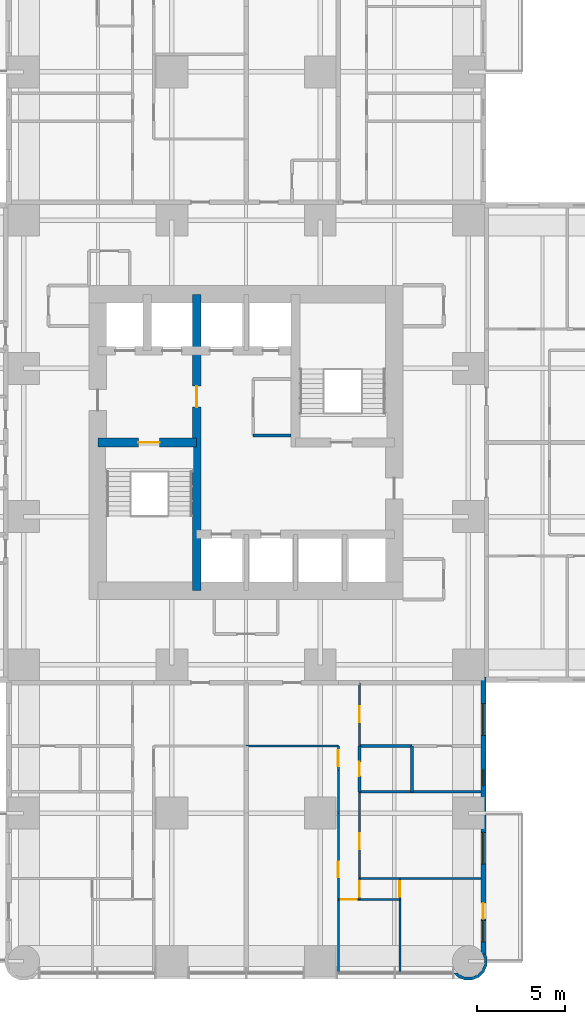
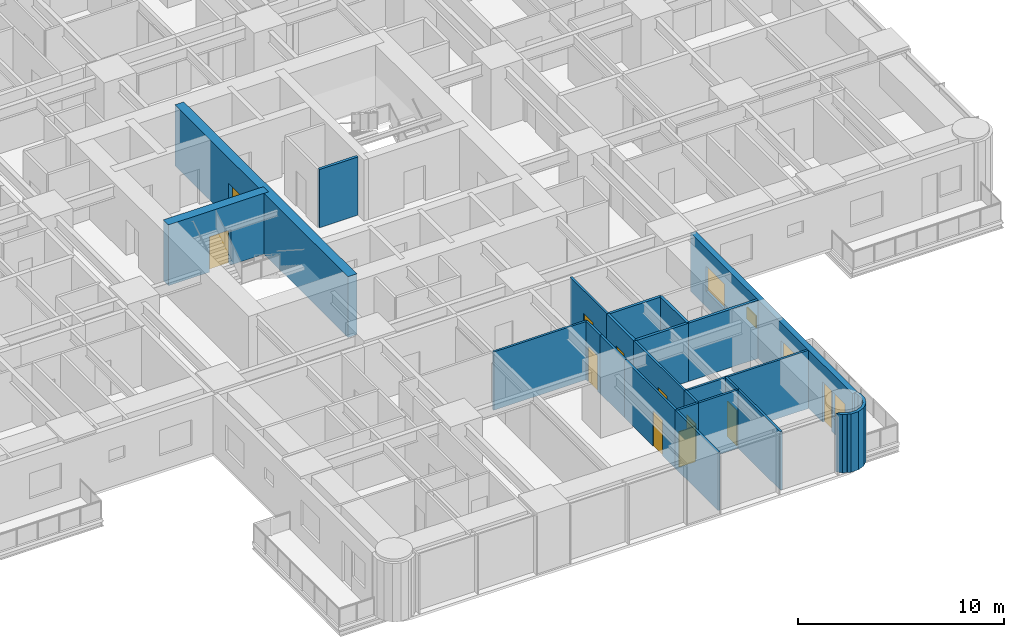
# One storey, part 9 of 17: 24 walls, 11 doors, 4 windows, 15 openings.
"""IFC4 building model written with IfcOpenShell, lengths in metres."""

from ifc_helpers import new_model, si_unit, direction, frame, frame_2d, origin, place, context, subcontext, project, spatial, polyline, rectangle, outline, extrude, material, layer, layer_set, type_object, element, fill, save


model = new_model("IFC4")

# Units and contexts
model_context = context("Model", 3, precision=1e-05, world=origin(), true_north=direction((0.0, 1.0)))
body_context = subcontext(model_context, "Body", "Model", "MODEL_VIEW")
ifc_project = project(units=[si_unit("LENGTHUNIT", "METRE"), si_unit("AREAUNIT", "SQUARE_METRE"), si_unit("VOLUMEUNIT", "CUBIC_METRE"), si_unit("PLANEANGLEUNIT", "RADIAN"), si_unit("MASSUNIT", "GRAM", prefix="KILO")], contexts=[model_context])

# Site, building, storey
site_placement = place(None, origin())
site = spatial("IfcSite", under=ifc_project, at=site_placement, CompositionType="ELEMENT")
building_placement = place(site_placement, origin())
building = spatial("IfcBuilding", under=site, at=building_placement, Name="Torre Alcanfor", CompositionType="ELEMENT")
storey_placement = place(building_placement, frame((0.0, 0.0, 70.5)))
storey = spatial("IfcBuildingStorey", under=building, at=storey_placement, Name="L17", CompositionType="ELEMENT", Elevation=70.5)

# Wall
ifc_material_1 = material(Name="Gypsum board on steel studs", Category="steel")
ifc_layer_1 = layer(ifc_material_1, 0.1201171875)
ifc_layer_set_1 = layer_set([ifc_layer_1], Name="Apartment partition 120")
wall_type_1 = type_object("IfcWallType", Name="Apartment partition 120", PredefinedType="PARTITIONING", material=ifc_layer_set_1)
wall_1_placement = place(storey_placement, frame((29.39990234375, 12.199951171875, 0.0), z_axis=(0.0, 0.0, 1.0), x_axis=(1.0, 0.0, 0.0)))
element("IfcWall", 1, at=wall_1_placement, inside=storey, type_object=wall_type_1, Name="Partition L17-S1-ZAG / L17-S1-LAUND", PredefinedType="PARTITIONING", context=body_context, shape_type="SweptSolid", body=[
    extrude(rectangle(XDim=5.22900390625, YDim=0.1201171875, at=frame_2d((2.614501953125, 0.0))), origin(), (0.0, 0.0, 1.0), 3.449951171875),
])

# Wall, opening, door
wall_2_placement = place(storey_placement, frame((34.62890625, 10.800048828125, 0.0), z_axis=(0.0, 0.0, 1.0), x_axis=(0.0, 1.0, 0.0)))
wall_2 = element("IfcWall", 2, at=wall_2_placement, inside=storey, type_object=wall_type_1, Name="Partition L17-S1-LAUND / L17-S1-HALL", PredefinedType="PARTITIONING", context=body_context, shape_type="SweptSolid", body=[
    extrude(rectangle(XDim=1.39990234375, YDim=0.1201171875, at=frame_2d((0.699951171875, 0.0))), origin(), (0.0, 0.0, 1.0), 3.449951171875),
])
opening_1_placement = place(wall_2_placement, frame((0.25, 0.0, 0.0)))
opening_1 = element("IfcOpeningElement", 3, at=opening_1_placement, cuts=wall_2, Name="Opening D-R1", PredefinedType="OPENING", context=body_context, shape_type="SweptSolid", body=[
    extrude(rectangle(XDim=0.89990234375, YDim=2.10009765625, at=frame_2d((0.449951171875, 1.050048828125))), frame((0.0, 0.070068359375, 0.0), z_axis=(0.0, -1.0, 0.0), x_axis=(1.0, 0.0, 0.0)), (0.0, 0.0, 1.0), 0.14013671875),
])
ifc_material_2 = material(Name="Timber", Category="wood")
door_type_1 = type_object("IfcDoorType", Name="Internal door 900x2100", OperationType="SINGLE_SWING_LEFT", PredefinedType="DOOR", material=ifc_material_2)
door_1_placement = place(opening_1_placement, origin())
door_1 = element("IfcDoor", 4, at=door_1_placement, inside=storey, type_object=door_type_1, Name="Door L17-S1 laund", OperationType="SINGLE_SWING_LEFT", OverallHeight=2.10009765625, OverallWidth=0.89990234375, PredefinedType="DOOR", context=body_context, shape_type="SweptSolid", body=[
    extrude(rectangle(XDim=0.89990234375, YDim=2.10009765625, at=frame_2d((0.449951171875, 1.050048828125))), frame((0.0, 0.02490234375, 0.0), z_axis=(0.0, -1.0, 0.0), x_axis=(1.0, 0.0, 0.0)), (0.0, 0.0, 1.0), 0.050048828125),
])
fill(opening_1, door_1)

# Wall
wall_3_placement = place(storey_placement, frame((34.62890625, 8.39990234375, 0.0), z_axis=(0.0, 0.0, 1.0), x_axis=(0.0, 1.0, 0.0)))
element("IfcWall", 5, at=wall_3_placement, inside=storey, type_object=wall_type_1, Name="Partition L17-S1-KITCHEN / L17-S1-HALL", PredefinedType="PARTITIONING", context=body_context, shape_type="SweptSolid", body=[
    extrude(rectangle(XDim=2.400146484375, YDim=0.1201171875, at=frame_2d((1.2001953125, 0.0))), origin(), (0.0, 0.0, 1.0), 3.449951171875),
])

# Wall, opening, door
wall_4_placement = place(storey_placement, frame((34.62890625, 3.5, 0.0), z_axis=(0.0, 0.0, 1.0), x_axis=(0.0, 1.0, 0.0)))
wall_4 = element("IfcWall", 6, at=wall_4_placement, inside=storey, type_object=wall_type_1, Name="Partition L17-S1-LIVING / L17-S1-HALL", PredefinedType="PARTITIONING", context=body_context, shape_type="SweptSolid", body=[
    extrude(rectangle(XDim=4.89990234375, YDim=0.1201171875, at=frame_2d((2.449951171875, 0.0))), origin(), (0.0, 0.0, 1.0), 3.449951171875),
])
opening_2_placement = place(wall_4_placement, frame((1.25, 0.0, 0.0)))
opening_2 = element("IfcOpeningElement", 7, at=opening_2_placement, cuts=wall_4, Name="Opening D-R1", PredefinedType="OPENING", context=body_context, shape_type="SweptSolid", body=[
    extrude(rectangle(XDim=0.89990234375, YDim=2.10009765625, at=frame_2d((0.449951171875, 1.050048828125))), frame((0.0, 0.070068359375, 0.0), z_axis=(0.0, -1.0, 0.0), x_axis=(1.0, 0.0, 0.0)), (0.0, 0.0, 1.0), 0.14013671875),
])
door_2_placement = place(opening_2_placement, origin())
door_2 = element("IfcDoor", 8, at=door_2_placement, inside=storey, type_object=door_type_1, Name="Door L17-S1 living", OperationType="SINGLE_SWING_RIGHT", OverallHeight=2.10009765625, OverallWidth=0.89990234375, PredefinedType="DOOR", context=body_context, shape_type="SweptSolid", body=[
    extrude(rectangle(XDim=0.89990234375, YDim=2.10009765625, at=frame_2d((0.449951171875, 1.050048828125))), frame((0.0, 0.02490234375, 0.0), z_axis=(0.0, -1.0, 0.0), x_axis=(1.0, 0.0, 0.0)), (0.0, 0.0, 1.0), 0.050048828125),
])
fill(opening_2, door_2)

# Wall
wall_5_placement = place(storey_placement, frame((34.62890625, -0.64990234375, 0.0), z_axis=(0.0, 0.0, 1.0), x_axis=(0.0, 1.0, 0.0)))
element("IfcWall", 9, at=wall_5_placement, inside=storey, type_object=wall_type_1, Name="Partition L17-S1-LIVING / L17-S1-BED2", PredefinedType="PARTITIONING", context=body_context, shape_type="SweptSolid", body=[
    extrude(rectangle(XDim=4.14990234375, YDim=0.1201171875, at=frame_2d((2.074951171875, 0.0))), origin(), (0.0, 0.0, 1.0), 3.449951171875),
])

# Wall, opening, door
wall_6_placement = place(storey_placement, frame((35.8291015625, 12.199951171875, 0.0), z_axis=(0.0, 0.0, 1.0), x_axis=(0.0, 1.0, 0.0)))
wall_6 = element("IfcWall", 10, at=wall_6_placement, inside=storey, type_object=wall_type_1, Name="Partition L17-S1-HALL / L17-S1-SERV", PredefinedType="PARTITIONING", context=body_context, shape_type="SweptSolid", body=[
    extrude(rectangle(XDim=3.574951171875, YDim=0.1201171875, at=frame_2d((1.78759765625, 0.0))), origin(), (0.0, 0.0, 1.0), 3.449951171875),
])
opening_3_placement = place(wall_6_placement, frame((1.35009765625, 0.0, 0.0)))
opening_3 = element("IfcOpeningElement", 11, at=opening_3_placement, cuts=wall_6, Name="Opening D-R1", PredefinedType="OPENING", context=body_context, shape_type="SweptSolid", body=[
    extrude(rectangle(XDim=0.89990234375, YDim=2.10009765625, at=frame_2d((0.449951171875, 1.050048828125))), frame((0.0, 0.070068359375, 0.0), z_axis=(0.0, -1.0, 0.0), x_axis=(1.0, 0.0, 0.0)), (0.0, 0.0, 1.0), 0.14013671875),
])
door_3_placement = place(opening_3_placement, frame((0.89990234375, 0.0, 0.0), z_axis=(0.0, 0.0, 1.0), x_axis=(-1.0, 0.0, 0.0)))
door_3 = element("IfcDoor", 12, at=door_3_placement, inside=storey, type_object=door_type_1, Name="Door L17-S1 serv", OperationType="SINGLE_SWING_LEFT", OverallHeight=2.10009765625, OverallWidth=0.89990234375, PredefinedType="DOOR", context=body_context, shape_type="SweptSolid", body=[
    extrude(rectangle(XDim=0.89990234375, YDim=2.10009765625, at=frame_2d((0.449951171875, 1.050048828125))), frame((0.0, 0.025146484375, 0.0), z_axis=(0.0, -1.0, 0.0), x_axis=(1.0, 0.0, 0.0)), (0.0, 0.0, 1.0), 0.050048828125),
])
fill(opening_3, door_3)

wall_7_placement = place(storey_placement, frame((35.8291015625, 4.699951171875, 0.0), z_axis=(0.0, 0.0, 1.0), x_axis=(0.0, 1.0, 0.0)))
wall_7 = element("IfcWall", 13, at=wall_7_placement, inside=storey, type_object=wall_type_1, Name="Partition L17-S1-HALL / L17-S1-BED3", PredefinedType="PARTITIONING", context=body_context, shape_type="SweptSolid", body=[
    extrude(rectangle(XDim=4.900146484375, YDim=0.1201171875, at=frame_2d((2.4501953125, 0.0))), origin(), (0.0, 0.0, 1.0), 3.449951171875),
])
opening_4_placement = place(wall_7_placement, frame((1.64990234375, 0.0, 0.0)))
opening_4 = element("IfcOpeningElement", 14, at=opening_4_placement, cuts=wall_7, Name="Opening D-R1", PredefinedType="OPENING", context=body_context, shape_type="SweptSolid", body=[
    extrude(rectangle(XDim=0.89990234375, YDim=2.10009765625, at=frame_2d((0.449951171875, 1.050048828125))), frame((0.0, 0.070068359375, 0.0), z_axis=(0.0, -1.0, 0.0), x_axis=(1.0, 0.0, 0.0)), (0.0, 0.0, 1.0), 0.14013671875),
])
door_4_placement = place(opening_4_placement, frame((0.89990234375, 0.0, 0.0), z_axis=(0.0, 0.0, 1.0), x_axis=(-1.0, 0.0, 0.0)))
door_4 = element("IfcDoor", 15, at=door_4_placement, inside=storey, type_object=door_type_1, Name="Door L17-S1 bed3", OperationType="SINGLE_SWING_RIGHT", OverallHeight=2.10009765625, OverallWidth=0.89990234375, PredefinedType="DOOR", context=body_context, shape_type="SweptSolid", body=[
    extrude(rectangle(XDim=0.89990234375, YDim=2.10009765625, at=frame_2d((0.449951171875, 1.050048828125))), frame((0.0, 0.025146484375, 0.0), z_axis=(0.0, -1.0, 0.0), x_axis=(1.0, 0.0, 0.0)), (0.0, 0.0, 1.0), 0.050048828125),
])
fill(opening_4, door_4)

wall_8_placement = place(storey_placement, frame((35.8291015625, 3.5, 0.0), z_axis=(0.0, 0.0, 1.0), x_axis=(0.0, 1.0, 0.0)))
wall_8 = element("IfcWall", 16, at=wall_8_placement, inside=storey, type_object=wall_type_1, Name="Partition L17-S1-HALL / L17-S1-VEST", PredefinedType="PARTITIONING", context=body_context, shape_type="SweptSolid", body=[
    extrude(rectangle(XDim=1.199951171875, YDim=0.1201171875, at=frame_2d((0.60009765625, 0.0))), origin(), (0.0, 0.0, 1.0), 3.449951171875),
])
opening_5_placement = place(wall_8_placement, frame((0.14990234375, 0.0, 0.0)))
opening_5 = element("IfcOpeningElement", 17, at=opening_5_placement, cuts=wall_8, Name="Opening D-R1", PredefinedType="OPENING", context=body_context, shape_type="SweptSolid", body=[
    extrude(rectangle(XDim=0.89990234375, YDim=2.10009765625, at=frame_2d((0.449951171875, 1.050048828125))), frame((0.0, 0.070068359375, 0.0), z_axis=(0.0, -1.0, 0.0), x_axis=(1.0, 0.0, 0.0)), (0.0, 0.0, 1.0), 0.14013671875),
])
door_5_placement = place(opening_5_placement, frame((0.89990234375, 0.0, 0.0), z_axis=(0.0, 0.0, 1.0), x_axis=(-1.0, 0.0, 0.0)))
door_5 = element("IfcDoor", 18, at=door_5_placement, inside=storey, type_object=door_type_1, Name="Door L17-S1 vest", OperationType="SINGLE_SWING_RIGHT", OverallHeight=2.10009765625, OverallWidth=0.89990234375, PredefinedType="DOOR", context=body_context, shape_type="SweptSolid", body=[
    extrude(rectangle(XDim=0.89990234375, YDim=2.10009765625, at=frame_2d((0.449951171875, 1.050048828125))), frame((0.0, 0.025146484375, 0.0), z_axis=(0.0, -1.0, 0.0), x_axis=(1.0, 0.0, 0.0)), (0.0, 0.0, 1.0), 0.050048828125),
])
fill(opening_5, door_5)

wall_9_placement = place(storey_placement, frame((34.62890625, 3.5, 0.0), z_axis=(0.0, 0.0, 1.0), x_axis=(1.0, 0.0, 0.0)))
wall_9 = element("IfcWall", 19, at=wall_9_placement, inside=storey, type_object=wall_type_1, Name="Partition L17-S1-HALL / L17-S1-BED2", PredefinedType="PARTITIONING", context=body_context, shape_type="SweptSolid", body=[
    extrude(rectangle(XDim=1.2001953125, YDim=0.1201171875, at=frame_2d((0.60009765625, 0.0))), origin(), (0.0, 0.0, 1.0), 3.449951171875),
])
opening_6_placement = place(wall_9_placement, frame((0.15087890625, 0.0, 0.0)))
opening_6 = element("IfcOpeningElement", 20, at=opening_6_placement, cuts=wall_9, Name="Opening D-R1", PredefinedType="OPENING", context=body_context, shape_type="SweptSolid", body=[
    extrude(rectangle(XDim=0.89990234375, YDim=2.10009765625, at=frame_2d((0.449951171875, 1.050048828125))), frame((0.0, 0.070068359375, 0.0), z_axis=(0.0, -1.0, 0.0), x_axis=(1.0, 0.0, 0.0)), (0.0, 0.0, 1.0), 0.14013671875),
])
door_6_placement = place(opening_6_placement, frame((0.89990234375, 0.0, 0.0), z_axis=(0.0, 0.0, 1.0), x_axis=(-1.0, 0.0, 0.0)))
door_6 = element("IfcDoor", 21, at=door_6_placement, inside=storey, type_object=door_type_1, Name="Door L17-S1 bed2", OperationType="SINGLE_SWING_RIGHT", OverallHeight=2.10009765625, OverallWidth=0.89990234375, PredefinedType="DOOR", context=body_context, shape_type="SweptSolid", body=[
    extrude(rectangle(XDim=0.89990234375, YDim=2.10009765625, at=frame_2d((0.449951171875, 1.050048828125))), frame((0.0, 0.025146484375, 0.0), z_axis=(0.0, -1.0, 0.0), x_axis=(1.0, 0.0, 0.0)), (0.0, 0.0, 1.0), 0.050048828125),
])
fill(opening_6, door_6)

# Walls
wall_10_placement = place(storey_placement, frame((35.8291015625, 4.699951171875, 0.0), z_axis=(0.0, 0.0, 1.0), x_axis=(1.0, 0.0, 0.0)))
element("IfcWall", 22, at=wall_10_placement, inside=storey, type_object=wall_type_1, Name="Partition L17-S1-BED3 / L17-S1-VEST", PredefinedType="PARTITIONING", context=body_context, shape_type="SweptSolid", body=[
    extrude(rectangle(XDim=2.284912109375, YDim=0.1201171875, at=frame_2d((1.142578125, 0.0))), origin(), (0.0, 0.0, 1.0), 3.449951171875),
])
wall_11_placement = place(storey_placement, frame((38.114013671875, 4.699951171875, 0.0), z_axis=(0.0, 0.0, 1.0), x_axis=(1.0, 0.0, 0.0)))
element("IfcWall", 23, at=wall_11_placement, inside=storey, type_object=wall_type_1, Name="Partition L17-S1-BED3 / L17-S1-MASTER", PredefinedType="PARTITIONING", context=body_context, shape_type="SweptSolid", body=[
    extrude(rectangle(XDim=4.5859375, YDim=0.1201171875, at=frame_2d((2.29296875, 0.0))), origin(), (0.0, 0.0, 1.0), 3.449951171875),
])
wall_12_placement = place(storey_placement, frame((35.8291015625, 3.5, 0.0), z_axis=(0.0, 0.0, 1.0), x_axis=(1.0, 0.0, 0.0)))
element("IfcWall", 24, at=wall_12_placement, inside=storey, type_object=wall_type_1, Name="Partition L17-S1-VEST / L17-S1-BED2", PredefinedType="PARTITIONING", context=body_context, shape_type="SweptSolid", body=[
    extrude(rectangle(XDim=2.284912109375, YDim=0.1201171875, at=frame_2d((1.142578125, 0.0))), origin(), (0.0, 0.0, 1.0), 3.449951171875),
])

# Wall, opening, door
wall_13_placement = place(storey_placement, frame((38.114013671875, 3.5, 0.0), z_axis=(0.0, 0.0, 1.0), x_axis=(0.0, 1.0, 0.0)))
wall_13 = element("IfcWall", 25, at=wall_13_placement, inside=storey, type_object=wall_type_1, Name="Partition L17-S1-VEST / L17-S1-MASTER", PredefinedType="PARTITIONING", context=body_context, shape_type="SweptSolid", body=[
    extrude(rectangle(XDim=1.199951171875, YDim=0.1201171875, at=frame_2d((0.60009765625, 0.0))), origin(), (0.0, 0.0, 1.0), 3.449951171875),
])
opening_7_placement = place(wall_13_placement, frame((0.14990234375, 0.0, 0.0)))
opening_7 = element("IfcOpeningElement", 26, at=opening_7_placement, cuts=wall_13, Name="Opening D-R1", PredefinedType="OPENING", context=body_context, shape_type="SweptSolid", body=[
    extrude(rectangle(XDim=0.89990234375, YDim=2.10009765625, at=frame_2d((0.449951171875, 1.050048828125))), frame((0.0, 0.070068359375, 0.0), z_axis=(0.0, -1.0, 0.0), x_axis=(1.0, 0.0, 0.0)), (0.0, 0.0, 1.0), 0.14013671875),
])
door_7_placement = place(opening_7_placement, origin())
door_7 = element("IfcDoor", 27, at=door_7_placement, inside=storey, type_object=door_type_1, Name="Door L17-S1 master", OperationType="SINGLE_SWING_LEFT", OverallHeight=2.10009765625, OverallWidth=0.89990234375, PredefinedType="DOOR", context=body_context, shape_type="SweptSolid", body=[
    extrude(rectangle(XDim=0.89990234375, YDim=2.10009765625, at=frame_2d((0.449951171875, 1.050048828125))), frame((0.0, 0.02490234375, 0.0), z_axis=(0.0, -1.0, 0.0), x_axis=(1.0, 0.0, 0.0)), (0.0, 0.0, 1.0), 0.050048828125),
])
fill(opening_7, door_7)

# Wall
wall_14_placement = place(storey_placement, frame((38.114013671875, -0.64990234375, 0.0), z_axis=(0.0, 0.0, 1.0), x_axis=(0.0, 1.0, 0.0)))
element("IfcWall", 28, at=wall_14_placement, inside=storey, type_object=wall_type_1, Name="Partition L17-S1-BED2 / L17-S1-MASTER", PredefinedType="PARTITIONING", context=body_context, shape_type="SweptSolid", body=[
    extrude(rectangle(XDim=4.14990234375, YDim=0.1201171875, at=frame_2d((2.074951171875, 0.0))), origin(), (0.0, 0.0, 1.0), 3.449951171875),
])

# Wall, opening, door
ifc_material_3 = material(Name="Concrete f'c 70 MPa", Category="concrete")
ifc_layer_2 = layer(ifc_material_3, 0.5)
ifc_layer_set_2 = layer_set([ifc_layer_2], Name="Core inner wall 500 f'c70")
wall_type_2 = type_object("IfcWallType", Name="Core inner wall 500 f'c70", PredefinedType="SHEAR", material=ifc_layer_set_2)
wall_15_placement = place(storey_placement, frame((26.60009765625, 21.0, 0.0), z_axis=(0.0, 0.0, 1.0), x_axis=(0.0, 1.0, 0.0)))
wall_15 = element("IfcWall", 29, at=wall_15_placement, inside=storey, type_object=wall_type_2, Name="Core wall X266 L17", PredefinedType="SHEAR", context=body_context, shape_type="SweptSolid", body=[
    extrude(rectangle(XDim=16.800048828125, YDim=0.5, at=frame_2d((8.39990234375, 0.0))), origin(), (0.0, 0.0, 1.0), 3.60009765625),
])
opening_8_placement = place(wall_15_placement, frame((10.39990234375, 0.0, 0.0)))
opening_8 = element("IfcOpeningElement", 30, at=opening_8_placement, cuts=wall_15, Name="Opening D-L1", PredefinedType="OPENING", context=body_context, shape_type="SweptSolid", body=[
    extrude(rectangle(XDim=1.199951171875, YDim=2.10009765625, at=frame_2d((0.60009765625, 1.050048828125))), frame((0.0, 0.260009765625, 0.0), z_axis=(0.0, -1.0, 0.0), x_axis=(1.0, 0.0, 0.0)), (0.0, 0.0, 1.0), 0.52001953125),
])
ifc_material_4 = material(Name="Galvanised steel sheet ASTM A653", Category="steel")
door_type_2 = type_object("IfcDoorType", Name="Lobby door FD120 1200x2100", OperationType="SINGLE_SWING_LEFT", PredefinedType="DOOR", material=ifc_material_4)
door_8_placement = place(opening_8_placement, origin())
door_8 = element("IfcDoor", 31, at=door_8_placement, inside=storey, type_object=door_type_2, Name="Lift lobby door L17", OperationType="SINGLE_SWING_LEFT", OverallHeight=2.10009765625, OverallWidth=1.199951171875, PredefinedType="DOOR", context=body_context, shape_type="SweptSolid", body=[
    extrude(rectangle(XDim=1.199951171875, YDim=2.10009765625, at=frame_2d((0.60009765625, 1.050048828125))), frame((0.0, 0.02490234375, 0.0), z_axis=(0.0, -1.0, 0.0), x_axis=(1.0, 0.0, 0.0)), (0.0, 0.0, 1.0), 0.050048828125),
])
fill(opening_8, door_8)

wall_16_placement = place(storey_placement, frame((21.0, 29.39990234375, 0.0), z_axis=(0.0, 0.0, 1.0), x_axis=(1.0, 0.0, 0.0)))
wall_16 = element("IfcWall", 32, at=wall_16_placement, inside=storey, type_object=wall_type_2, Name="Core wall Y294W L17", PredefinedType="SHEAR", context=body_context, shape_type="SweptSolid", body=[
    extrude(rectangle(XDim=5.60009765625, YDim=0.5, at=frame_2d((2.800048828125, 0.0))), origin(), (0.0, 0.0, 1.0), 3.60009765625),
])
opening_9_placement = place(wall_16_placement, frame((2.300048828125, 0.0, 0.0)))
opening_9 = element("IfcOpeningElement", 33, at=opening_9_placement, cuts=wall_16, Name="Opening D-S2", PredefinedType="OPENING", context=body_context, shape_type="SweptSolid", body=[
    extrude(rectangle(XDim=1.199951171875, YDim=2.10009765625, at=frame_2d((0.60009765625, 1.050048828125))), frame((0.0, 0.260009765625, 0.0), z_axis=(0.0, -1.0, 0.0), x_axis=(1.0, 0.0, 0.0)), (0.0, 0.0, 1.0), 0.52001953125),
])
ifc_material_5 = material(Name="Galvanised steel sheet ASTM A653", Category="steel")
door_type_3 = type_object("IfcDoorType", Name="Stair enclosure door FD120 1200x2100", OperationType="SINGLE_SWING_LEFT", PredefinedType="DOOR", material=ifc_material_5)
door_9_placement = place(opening_9_placement, frame((1.199951171875, 0.0, 0.0), z_axis=(0.0, 0.0, 1.0), x_axis=(-1.0, 0.0, 0.0)))
door_9 = element("IfcDoor", 34, at=door_9_placement, inside=storey, type_object=door_type_3, Name="Stair S1 door L17", OperationType="SINGLE_SWING_LEFT", OverallHeight=2.10009765625, OverallWidth=1.199951171875, PredefinedType="DOOR", context=body_context, shape_type="SweptSolid", body=[
    extrude(rectangle(XDim=1.199951171875, YDim=2.10009765625, at=frame_2d((0.599853515625, 1.050048828125))), frame((0.0, 0.025146484375, 0.0), z_axis=(0.0, -1.0, 0.0), x_axis=(1.0, 0.0, 0.0)), (0.0, 0.0, 1.0), 0.050048828125),
])
fill(opening_9, door_9)

# Wall, openings, door, windows
ifc_material_6 = material(Name="Limestone cladding", Category="masonry")
ifc_layer_3 = layer(ifc_material_6, 0.0400390625, Name="Facing")
ifc_material_7 = material(Name="Ventilated air cavity")
ifc_layer_4 = layer(ifc_material_7, 0.02001953125, ventilated=True, Name="Ventilated joint")
ifc_material_8 = material(Name="Mineral wool insulation", Category="insulation")
ifc_layer_5 = layer(ifc_material_8, 0.10009765625, Name="Insulation")
ifc_material_9 = material(Name="Concrete f'c 35 MPa", Category="concrete")
ifc_layer_6 = layer(ifc_material_9, 0.139892578125, Name="Backing")
ifc_layer_set_3 = layer_set([ifc_layer_3, ifc_layer_4, ifc_layer_5, ifc_layer_6], Name="External wall stone-clad 300")
wall_type_3 = type_object("IfcWallType", Name="External wall stone-clad 300", PredefinedType="SOLIDWALL", material=ifc_layer_set_3)
wall_17_placement = place(storey_placement, frame((42.85009765625, 0.39990234375, 0.0), z_axis=(0.0, 0.0, 1.0), x_axis=(0.0, 1.0, 0.0)))
wall_17 = element("IfcWall", 35, at=wall_17_placement, inside=storey, type_object=wall_type_3, Name="External wall L17 6", PredefinedType="SOLIDWALL", context=body_context, shape_type="SweptSolid", body=[
    extrude(rectangle(XDim=15.7001953125, YDim=0.300048828125, at=frame_2d((7.85009765625, 0.0))), origin(), (0.0, 0.0, 1.0), 3.449951171875),
])
opening_10_placement = place(wall_17_placement, frame((12.39990234375, 0.0, 0.89990234375)))
opening_10 = element("IfcOpeningElement", 36, at=opening_10_placement, cuts=wall_17, Name="Opening W2", PredefinedType="OPENING", context=body_context, shape_type="SweptSolid", body=[
    extrude(rectangle(XDim=1.800048828125, YDim=1.5, at=frame_2d((0.89990234375, 0.75))), frame((0.0, 0.159912109375, 0.0), z_axis=(0.0, -1.0, 0.0), x_axis=(1.0, 0.0, 0.0)), (0.0, 0.0, 1.0), 0.320068359375),
])
opening_11_placement = place(wall_17_placement, frame((9.550048828125, 0.0, 1.5)))
opening_11 = element("IfcOpeningElement", 37, at=opening_11_placement, cuts=wall_17, Name="Opening W3", PredefinedType="OPENING", context=body_context, shape_type="SweptSolid", body=[
    extrude(rectangle(XDim=0.89990234375, YDim=0.699951171875, at=frame_2d((0.449951171875, 0.35009765625))), frame((0.0, 0.159912109375, 0.0), z_axis=(0.0, -1.0, 0.0), x_axis=(1.0, 0.0, 0.0)), (0.0, 0.0, 1.0), 0.320068359375),
])
opening_12_placement = place(wall_17_placement, frame((5.10009765625, 0.0, 0.89990234375)))
opening_12 = element("IfcOpeningElement", 38, at=opening_12_placement, cuts=wall_17, Name="Opening W2", PredefinedType="OPENING", context=body_context, shape_type="SweptSolid", body=[
    extrude(rectangle(XDim=1.800048828125, YDim=1.5, at=frame_2d((0.89990234375, 0.75))), frame((0.0, 0.159912109375, 0.0), z_axis=(0.0, -1.0, 0.0), x_axis=(1.0, 0.0, 0.0)), (0.0, 0.0, 1.0), 0.320068359375),
])
opening_13_placement = place(wall_17_placement, frame((2.0, 0.0, 0.0)))
opening_13 = element("IfcOpeningElement", 39, at=opening_13_placement, cuts=wall_17, Name="Opening D-B1", PredefinedType="OPENING", context=body_context, shape_type="SweptSolid", body=[
    extrude(rectangle(XDim=0.89990234375, YDim=2.39990234375, at=frame_2d((0.449951171875, 1.199951171875))), frame((0.0, 0.159912109375, 0.0), z_axis=(0.0, -1.0, 0.0), x_axis=(1.0, 0.0, 0.0)), (0.0, 0.0, 1.0), 0.320068359375),
])
opening_14_placement = place(wall_17_placement, frame((0.699951171875, 0.0, 0.89990234375)))
opening_14 = element("IfcOpeningElement", 40, at=opening_14_placement, cuts=wall_17, Name="Opening W4", PredefinedType="OPENING", context=body_context, shape_type="SweptSolid", body=[
    extrude(rectangle(XDim=1.199951171875, YDim=1.5, at=frame_2d((0.60009765625, 0.75))), frame((0.0, 0.159912109375, 0.0), z_axis=(0.0, -1.0, 0.0), x_axis=(1.0, 0.0, 0.0)), (0.0, 0.0, 1.0), 0.320068359375),
])
ifc_material_10 = material(Name="Aluminium and glass", Category="aluminium")
door_type_4 = type_object("IfcDoorType", Name="Balcony door glazed 900x2400", OperationType="SINGLE_SWING_LEFT", PredefinedType="DOOR", material=ifc_material_10)
door_10_placement = place(opening_13_placement, origin())
door_10 = element("IfcDoor", 41, at=door_10_placement, inside=storey, type_object=door_type_4, Name="Balcony door L17-S1", OperationType="SINGLE_SWING_RIGHT", OverallHeight=2.39990234375, OverallWidth=0.89990234375, PredefinedType="DOOR", context=body_context, shape_type="SweptSolid", body=[
    extrude(rectangle(XDim=0.89990234375, YDim=2.39990234375, at=frame_2d((0.449951171875, 1.199951171875))), frame((0.0, 0.02490234375, 0.0), z_axis=(0.0, -1.0, 0.0), x_axis=(1.0, 0.0, 0.0)), (0.0, 0.0, 1.0), 0.050048828125),
])
fill(opening_13, door_10)
ifc_material_11 = material(Name="Aluminium frame with clear double glazing", Category="aluminium")
window_type_1 = type_object("IfcWindowType", Name="Window bathroom 900x700", PartitioningType="SINGLE_PANEL", PredefinedType="WINDOW", material=ifc_material_11)
window_1_placement = place(opening_11_placement, origin())
window_1 = element("IfcWindow", 42, at=window_1_placement, inside=storey, type_object=window_type_1, Name="Window W3 L17-S1", OverallHeight=0.699951171875, OverallWidth=0.89990234375, PartitioningType="SINGLE_PANEL", PredefinedType="WINDOW", context=body_context, shape_type="SweptSolid", body=[
    extrude(rectangle(XDim=0.89990234375, YDim=0.699951171875, at=frame_2d((0.449951171875, 0.35009765625))), frame((0.0, 0.030029296875, 0.0), z_axis=(0.0, -1.0, 0.0), x_axis=(1.0, 0.0, 0.0)), (0.0, 0.0, 1.0), 0.06005859375),
])
fill(opening_11, window_1)
ifc_material_12 = material(Name="Aluminium frame with clear double glazing", Category="aluminium")
window_type_2 = type_object("IfcWindowType", Name="Window bedroom 1200x1500", PartitioningType="SINGLE_PANEL", PredefinedType="WINDOW", material=ifc_material_12)
window_2_placement = place(opening_14_placement, origin())
window_2 = element("IfcWindow", 43, at=window_2_placement, inside=storey, type_object=window_type_2, Name="Window W4 L17-S1", OverallHeight=1.5, OverallWidth=1.199951171875, PartitioningType="SINGLE_PANEL", PredefinedType="WINDOW", context=body_context, shape_type="SweptSolid", body=[
    extrude(rectangle(XDim=1.199951171875, YDim=1.5, at=frame_2d((0.60009765625, 0.75))), frame((0.0, 0.030029296875, 0.0), z_axis=(0.0, -1.0, 0.0), x_axis=(1.0, 0.0, 0.0)), (0.0, 0.0, 1.0), 0.06005859375),
])
fill(opening_14, window_2)
ifc_material_13 = material(Name="Aluminium frame with clear double glazing", Category="aluminium")
window_type_3 = type_object("IfcWindowType", Name="Window bedroom 1800x1500", PartitioningType="SINGLE_PANEL", PredefinedType="WINDOW", material=ifc_material_13)
window_3_placement = place(opening_10_placement, origin())
window_3 = element("IfcWindow", 44, at=window_3_placement, inside=storey, type_object=window_type_3, Name="Window W2 L17-S1", OverallHeight=1.5, OverallWidth=1.800048828125, PartitioningType="SINGLE_PANEL", PredefinedType="WINDOW", context=body_context, shape_type="SweptSolid", body=[
    extrude(rectangle(XDim=1.800048828125, YDim=1.5, at=frame_2d((0.89990234375, 0.75))), frame((0.0, 0.030029296875, 0.0), z_axis=(0.0, -1.0, 0.0), x_axis=(1.0, 0.0, 0.0)), (0.0, 0.0, 1.0), 0.06005859375),
])
fill(opening_10, window_3)
window_4_placement = place(opening_12_placement, origin())
window_4 = element("IfcWindow", 45, at=window_4_placement, inside=storey, type_object=window_type_3, Name="Window W2 L17-S1", OverallHeight=1.5, OverallWidth=1.800048828125, PartitioningType="SINGLE_PANEL", PredefinedType="WINDOW", context=body_context, shape_type="SweptSolid", body=[
    extrude(rectangle(XDim=1.800048828125, YDim=1.5, at=frame_2d((0.89990234375, 0.75))), frame((0.0, 0.030029296875, 0.0), z_axis=(0.0, -1.0, 0.0), x_axis=(1.0, 0.0, 0.0)), (0.0, 0.0, 1.0), 0.06005859375),
])
fill(opening_12, window_4)

# Walls
ifc_material_14 = material(Name="Concrete block masonry, hollow blocks NMX-C-404 9 MPa", Category="masonry")
ifc_layer_7 = layer(ifc_material_14, 0.14990234375)
ifc_layer_set_4 = layer_set([ifc_layer_7], Name="Residents' room partition 150")
wall_type_4 = type_object("IfcWallType", Name="Residents' room partition 150", PredefinedType="PARTITIONING", material=ifc_layer_set_4)
wall_18_placement = place(storey_placement, frame((31.949951171875, 29.800048828125, 0.0), z_axis=(0.0, 0.0, 1.0), x_axis=(-1.0, 0.0, 0.0)))
element("IfcWall", 46, at=wall_18_placement, inside=storey, type_object=wall_type_4, Name="Partition L17-LL / L17-CR1", PredefinedType="PARTITIONING", context=body_context, shape_type="SweptSolid", body=[
    extrude(rectangle(XDim=2.14990234375, YDim=0.14990234375, at=frame_2d((1.074951171875, 0.0))), origin(), (0.0, 0.0, 1.0), 3.449951171875),
])
ifc_layer_8 = layer(ifc_material_6, 0.0400390625, Name="Facing")
ifc_layer_9 = layer(ifc_material_7, 0.02001953125, ventilated=True, Name="Ventilated joint")
ifc_layer_10 = layer(ifc_material_8, 0.10009765625, Name="Insulation")
ifc_layer_11 = layer(ifc_material_9, 0.139892578125, Name="Backing")
ifc_layer_set_5 = layer_set([ifc_layer_8, ifc_layer_9, ifc_layer_10, ifc_layer_11], Name="Rounded corner pier stone-clad 300")
wall_type_5 = type_object("IfcWallType", Name="Rounded corner pier stone-clad 300", PredefinedType="SOLIDWALL", material=ifc_layer_set_5)
wall_19_placement = place(storey_placement, frame((41.23340608, -0.610519256, 0.0), z_axis=(0.0, 0.0, 1.0), x_axis=(0.377204953059, -0.926129809145, 0.0)))
element("IfcWall", 47, at=wall_19_placement, inside=storey, type_object=wall_type_5, Name="Corner pier L17 16", PredefinedType="SOLIDWALL", context=body_context, shape_type="SweptSolid", body=[
    extrude(outline(polyline([(0.31873169437185855, 1.8425336525024494), (-0.07152710704046505, 2.001482809968314), (-0.24009471588869835, 2.0005449414227563), (-0.26941358666453996, 2.017231322070639), (-0.37003424962124987, 1.840731870737274), (-0.10240281114565264, 1.842182010528029), (0.22952066537421467, 1.7069923447343507), (0.48468330510664415, 1.4551793700683648), (0.6237907271323827, 1.1248909220292227), (0.6256685839754508, 0.7664021208386822), (0.49047891818177247, 0.4344786443188148), (0.23866594351578668, 0.1793160045863853), (0.09016005264750862, 0.11695717207098313), (0.01086965602056237, -0.07772001681430692), (0.024436010646714988, -0.08324547999388505), (0.3295868985749782, 0.04527476829386376), (0.48015223740573765, 0.19747796194128653), (0.49902760591309464, 0.19268993376963664), (0.5075741737852856, 0.2253240824532252), (0.6260202259498713, 0.3452676153211709), (0.7849693834157356, 0.7355264167334946), (0.7824906971943995, 1.1572636358175066), (0.6187245413991658, 1.5461003251275562), (0.31873169437185855, 1.8425336525024494)])), origin(), (0.0, 0.0, 1.0), 3.449951171875),
])

# Wall, opening, door
ifc_material_15 = material(Name="Cement board on steel studs", Category="steel")
ifc_layer_12 = layer(ifc_material_15, 0.14990234375)
ifc_layer_set_6 = layer_set([ifc_layer_12], Name="Wet area partition 150")
wall_type_6 = type_object("IfcWallType", Name="Wet area partition 150", PredefinedType="PARTITIONING", material=ifc_layer_set_6)
wall_20_placement = place(storey_placement, frame((35.8291015625, 9.60009765625, 0.0), z_axis=(0.0, 0.0, 1.0), x_axis=(0.0, 1.0, 0.0)))
wall_20 = element("IfcWall", 48, at=wall_20_placement, inside=storey, type_object=wall_type_6, Name="Partition L17-S1-HALL / L17-S1-BATH1", PredefinedType="PARTITIONING", context=body_context, shape_type="SweptSolid", body=[
    extrude(rectangle(XDim=2.599853515625, YDim=0.14990234375, at=frame_2d((1.2998046875, 0.0))), origin(), (0.0, 0.0, 1.0), 3.449951171875),
])
opening_15_placement = place(wall_20_placement, frame((0.89990234375, 0.0, 0.0)))
opening_15 = element("IfcOpeningElement", 49, at=opening_15_placement, cuts=wall_20, Name="Opening D-R2", PredefinedType="OPENING", context=body_context, shape_type="SweptSolid", body=[
    extrude(rectangle(XDim=0.800048828125, YDim=2.10009765625, at=frame_2d((0.39990234375, 1.050048828125))), frame((0.0, 0.0849609375, 0.0), z_axis=(0.0, -1.0, 0.0), x_axis=(1.0, 0.0, 0.0)), (0.0, 0.0, 1.0), 0.169921875),
])
ifc_material_16 = material(Name="Timber", Category="wood")
door_type_5 = type_object("IfcDoorType", Name="Bathroom door 800x2100", OperationType="SINGLE_SWING_LEFT", PredefinedType="DOOR", material=ifc_material_16)
door_11_placement = place(opening_15_placement, frame((0.800048828125, 0.0, 0.0), z_axis=(0.0, 0.0, 1.0), x_axis=(-1.0, 0.0, 0.0)))
door_11 = element("IfcDoor", 50, at=door_11_placement, inside=storey, type_object=door_type_5, Name="Door L17-S1 bath1", OperationType="SINGLE_SWING_RIGHT", OverallHeight=2.10009765625, OverallWidth=0.800048828125, PredefinedType="DOOR", context=body_context, shape_type="SweptSolid", body=[
    extrude(rectangle(XDim=0.800048828125, YDim=2.10009765625, at=frame_2d((0.400146484375, 1.050048828125))), frame((0.0, 0.025146484375, 0.0), z_axis=(0.0, -1.0, 0.0), x_axis=(1.0, 0.0, 0.0)), (0.0, 0.0, 1.0), 0.050048828125),
])
fill(opening_15, door_11)

# Walls
wall_21_placement = place(storey_placement, frame((35.8291015625, 12.199951171875, 0.0), z_axis=(0.0, 0.0, 1.0), x_axis=(1.0, 0.0, 0.0)))
element("IfcWall", 51, at=wall_21_placement, inside=storey, type_object=wall_type_6, Name="Partition L17-S1-SERV / L17-S1-BATH1", PredefinedType="PARTITIONING", context=body_context, shape_type="SweptSolid", body=[
    extrude(rectangle(XDim=2.970947265625, YDim=0.14990234375, at=frame_2d((1.4853515625, 0.0))), origin(), (0.0, 0.0, 1.0), 3.449951171875),
])
wall_22_placement = place(storey_placement, frame((38.800048828125, 9.60009765625, 0.0), z_axis=(0.0, 0.0, 1.0), x_axis=(0.0, 1.0, 0.0)))
element("IfcWall", 52, at=wall_22_placement, inside=storey, type_object=wall_type_6, Name="Partition L17-S1-BATH1 / L17-S1-SBATH", PredefinedType="PARTITIONING", context=body_context, shape_type="SweptSolid", body=[
    extrude(rectangle(XDim=2.599853515625, YDim=0.14990234375, at=frame_2d((1.2998046875, 0.0))), origin(), (0.0, 0.0, 1.0), 3.449951171875),
])
wall_23_placement = place(storey_placement, frame((35.8291015625, 9.60009765625, 0.0), z_axis=(0.0, 0.0, 1.0), x_axis=(1.0, 0.0, 0.0)))
element("IfcWall", 53, at=wall_23_placement, inside=storey, type_object=wall_type_6, Name="Partition L17-S1-BATH1 / L17-S1-BED3", PredefinedType="PARTITIONING", context=body_context, shape_type="SweptSolid", body=[
    extrude(rectangle(XDim=2.970947265625, YDim=0.14990234375, at=frame_2d((1.4853515625, 0.0))), origin(), (0.0, 0.0, 1.0), 3.449951171875),
])
wall_24_placement = place(storey_placement, frame((38.800048828125, 9.60009765625, 0.0), z_axis=(0.0, 0.0, 1.0), x_axis=(1.0, 0.0, 0.0)))
element("IfcWall", 54, at=wall_24_placement, inside=storey, type_object=wall_type_6, Name="Partition L17-S1-SBATH / L17-S1-BED3", PredefinedType="PARTITIONING", context=body_context, shape_type="SweptSolid", body=[
    extrude(rectangle(XDim=3.89990234375, YDim=0.14990234375, at=frame_2d((1.949951171875, 0.0))), origin(), (0.0, 0.0, 1.0), 3.449951171875),
])

save(model, "model.ifc")
